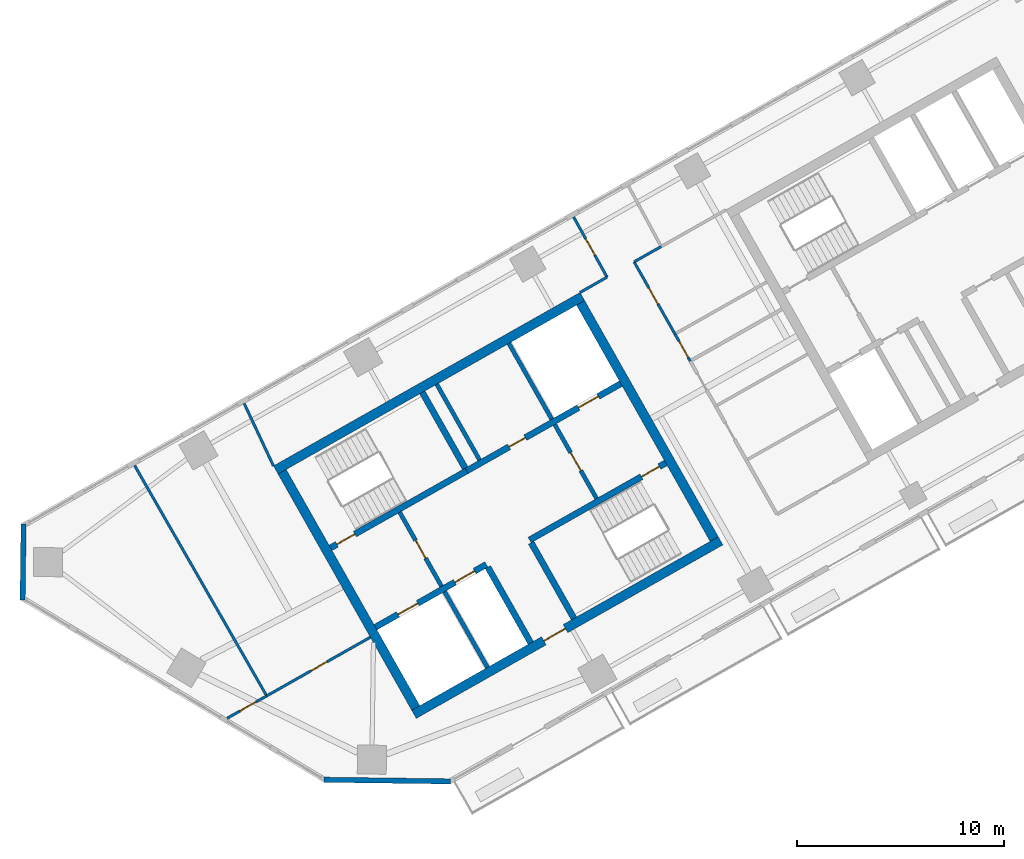
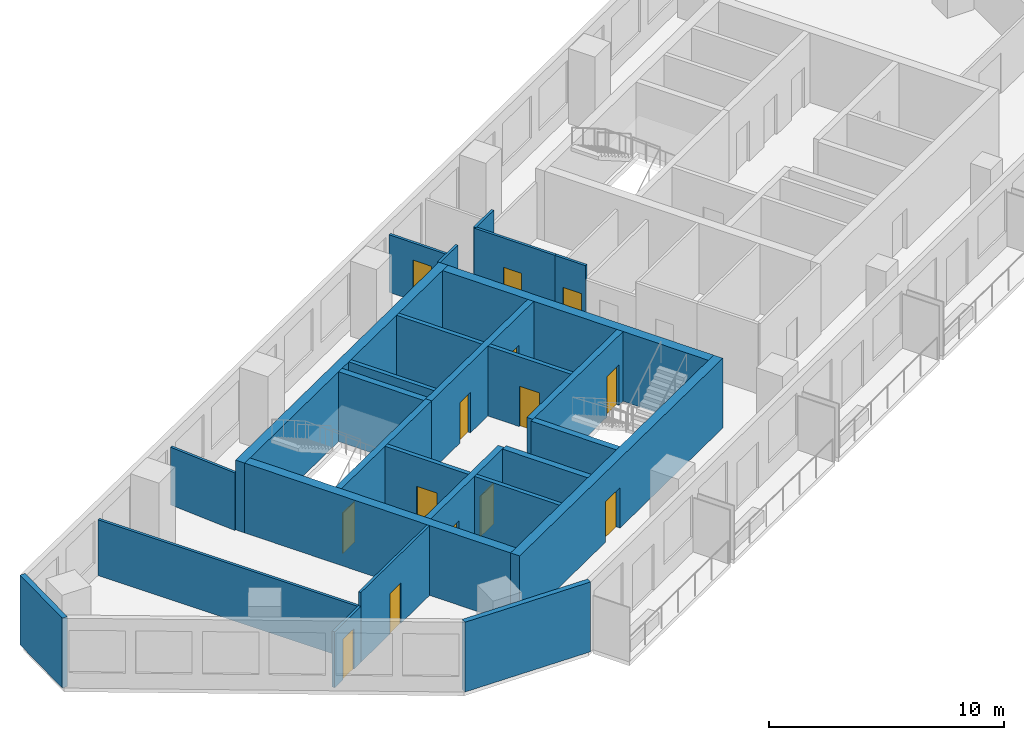
# One storey, part 3 of 11: 27 walls, 14 doors, 14 openings.
"""IFC4 building model written with IfcOpenShell, lengths in metres."""

from ifc_helpers import new_model, si_unit, direction, frame, frame_2d, origin, place, context, subcontext, project, spatial, rectangle, extrude, material, layer, layer_set, type_object, element, fill, save


model = new_model("IFC4")

# Units and contexts
model_context = context("Model", 3, precision=1e-05, world=origin(), true_north=direction((0.0, 1.0)))
body_context = subcontext(model_context, "Body", "Model", "MODEL_VIEW")
ifc_project = project(units=[si_unit("LENGTHUNIT", "METRE"), si_unit("AREAUNIT", "SQUARE_METRE"), si_unit("VOLUMEUNIT", "CUBIC_METRE"), si_unit("PLANEANGLEUNIT", "RADIAN"), si_unit("MASSUNIT", "GRAM", prefix="KILO")], contexts=[model_context])

# Site, building, storey
site_placement = place(None, origin())
site = spatial("IfcSite", under=ifc_project, at=site_placement, CompositionType="ELEMENT")
building_placement = place(site_placement, origin())
building = spatial("IfcBuilding", under=site, at=building_placement, Name="Binnacle Exchange Tower", CompositionType="ELEMENT")
storey_placement = place(building_placement, frame((0.0, 0.0, 219.199951171875)))
storey = spatial("IfcBuildingStorey", under=building, at=storey_placement, Name="L48", CompositionType="ELEMENT", Elevation=219.199951171875)

# Wall, openings, doors
ifc_material_1 = material(Name="Concrete C70/85", Category="concrete")
ifc_layer_1 = layer(ifc_material_1, 0.300048828125)
ifc_layer_set_1 = layer_set([ifc_layer_1], Name="Core wall - front 300")
wall_type_1 = type_object("IfcWallType", Name="Core wall - front 300", PredefinedType="SOLIDWALL", material=ifc_layer_set_1)
wall_1_placement = place(storey_placement, frame((-41.6865234375, 33.88720703125, 0.0), z_axis=(0.0, 0.0, 1.0), x_axis=(0.870355736587, 0.49242348826, 0.0)))
wall_1 = element("IfcWall", 1, at=wall_1_placement, inside=storey, type_object=wall_type_1, Name="Core wall CRWA2", PredefinedType="SOLIDWALL", context=body_context, shape_type="SweptSolid", body=[
    extrude(rectangle(XDim=6.14990234375, YDim=0.300048828125, at=frame_2d((3.074951171875, 0.0))), origin(), (0.0, 0.0, 1.0), 3.6201171875),
])
opening_1_placement = place(wall_1_placement, frame((1.25, 0.0, 0.0)))
opening_1 = element("IfcOpeningElement", 2, at=opening_1_placement, cuts=wall_1, Name="Opening LD12", PredefinedType="OPENING", context=body_context, shape_type="SweptSolid", body=[
    extrude(rectangle(XDim=1.10009765625, YDim=2.10009765625, at=frame_2d((0.550048828125, 1.050048828125))), frame((0.0, 0.159912109375, 0.0), z_axis=(0.0, -1.0, 0.0), x_axis=(1.0, 0.0, 0.0)), (0.0, 0.0, 1.0), 0.320068359375),
])
opening_2_placement = place(wall_1_placement, frame((4.39990234375, 0.0, 0.0)))
opening_2 = element("IfcOpeningElement", 3, at=opening_2_placement, cuts=wall_1, Name="Opening LD8", PredefinedType="OPENING", context=body_context, shape_type="SweptSolid", body=[
    extrude(rectangle(XDim=1.10009765625, YDim=2.10009765625, at=frame_2d((0.550048828125, 1.050048828125))), frame((0.0, 0.159912109375, 0.0), z_axis=(0.0, -1.0, 0.0), x_axis=(1.0, 0.0, 0.0)), (0.0, 0.0, 1.0), 0.320068359375),
])
ifc_material_2 = material(Name="Steel door leaf", Category="steel")
door_type_1 = type_object("IfcDoorType", Name="Fire door - lift landing 1100", OperationType="NOTDEFINED", PredefinedType="DOOR", material=ifc_material_2)
door_1_placement = place(opening_1_placement, origin())
door_1 = element("IfcDoor", 4, at=door_1_placement, inside=storey, type_object=door_type_1, Name="Landing door LD12 L48", OperationType="DOUBLE_DOOR_SLIDING", OverallHeight=2.10009765625, OverallWidth=1.10009765625, PredefinedType="DOOR", context=body_context, shape_type="SweptSolid", body=[
    extrude(rectangle(XDim=1.10009765625, YDim=2.10009765625, at=frame_2d((0.550048828125, 1.050048828125))), frame((0.0, 0.02490234375, 0.0), z_axis=(0.0, -1.0, 0.0), x_axis=(1.0, 0.0, 0.0)), (0.0, 0.0, 1.0), 0.050048828125),
])
fill(opening_1, door_1)
door_2_placement = place(opening_2_placement, origin())
door_2 = element("IfcDoor", 5, at=door_2_placement, inside=storey, type_object=door_type_1, Name="Landing door LD8 L48", OperationType="DOUBLE_DOOR_SLIDING", OverallHeight=2.10009765625, OverallWidth=1.10009765625, PredefinedType="DOOR", context=body_context, shape_type="SweptSolid", body=[
    extrude(rectangle(XDim=1.10009765625, YDim=2.10009765625, at=frame_2d((0.550048828125, 1.050048828125))), frame((0.0, 0.02490234375, 0.0), z_axis=(0.0, -1.0, 0.0), x_axis=(1.0, 0.0, 0.0)), (0.0, 0.0, 1.0), 0.050048828125),
])
fill(opening_2, door_2)

wall_2_placement = place(storey_placement, frame((-37.281982421875, 41.4345703125, 0.0), z_axis=(0.0, 0.0, 1.0), x_axis=(0.870352688754, 0.492428875248, 0.0)))
wall_2 = element("IfcWall", 6, at=wall_2_placement, inside=storey, type_object=wall_type_1, Name="Core wall CRWA5", PredefinedType="SOLIDWALL", context=body_context, shape_type="SweptSolid", body=[
    extrude(rectangle(XDim=8.5498046875, YDim=0.300048828125, at=frame_2d((4.27490234375, 0.0))), origin(), (0.0, 0.0, 1.0), 3.6201171875),
])
opening_3_placement = place(wall_2_placement, frame((6.199951171875, 0.0, 0.0)))
opening_3 = element("IfcOpeningElement", 7, at=opening_3_placement, cuts=wall_2, Name="Opening LD13", PredefinedType="OPENING", context=body_context, shape_type="SweptSolid", body=[
    extrude(rectangle(XDim=1.10009765625, YDim=2.10009765625, at=frame_2d((0.550048828125, 1.050048828125))), frame((0.0, 0.159912109375, 0.0), z_axis=(0.0, -1.0, 0.0), x_axis=(1.0, 0.0, 0.0)), (0.0, 0.0, 1.0), 0.320068359375),
])
opening_4_placement = place(wall_2_placement, frame((2.35009765625, 0.0, 0.0)))
opening_4 = element("IfcOpeningElement", 8, at=opening_4_placement, cuts=wall_2, Name="Opening DA10", PredefinedType="OPENING", context=body_context, shape_type="SweptSolid", body=[
    extrude(rectangle(XDim=0.89990234375, YDim=2.10009765625, at=frame_2d((0.449951171875, 1.050048828125))), frame((0.0, 0.159912109375, 0.0), z_axis=(0.0, -1.0, 0.0), x_axis=(1.0, 0.0, 0.0)), (0.0, 0.0, 1.0), 0.320068359375),
])
door_3_placement = place(opening_3_placement, origin())
door_3 = element("IfcDoor", 9, at=door_3_placement, inside=storey, type_object=door_type_1, Name="Landing door LD13 L48", OperationType="DOUBLE_DOOR_SLIDING", OverallHeight=2.10009765625, OverallWidth=1.10009765625, PredefinedType="DOOR", context=body_context, shape_type="SweptSolid", body=[
    extrude(rectangle(XDim=1.10009765625, YDim=2.10009765625, at=frame_2d((0.550048828125, 1.050048828125))), frame((0.0, 0.02490234375, 0.0), z_axis=(0.0, -1.0, 0.0), x_axis=(1.0, 0.0, 0.0)), (0.0, 0.0, 1.0), 0.050048828125),
])
fill(opening_3, door_3)
door_type_2 = type_object("IfcDoorType", Name="Fire door 900", OperationType="NOTDEFINED", PredefinedType="DOOR", material=ifc_material_2)
door_4_placement = place(opening_4_placement, origin())
door_4 = element("IfcDoor", 10, at=door_4_placement, inside=storey, type_object=door_type_2, Name="Core room door EQUIPMENT STORE", OperationType="SINGLE_SWING_LEFT", OverallHeight=2.10009765625, OverallWidth=0.89990234375, PredefinedType="DOOR", context=body_context, shape_type="SweptSolid", body=[
    extrude(rectangle(XDim=0.89990234375, YDim=2.10009765625, at=frame_2d((0.449951171875, 1.050048828125))), frame((0.0, 0.02490234375, 0.0), z_axis=(0.0, -1.0, 0.0), x_axis=(1.0, 0.0, 0.0)), (0.0, 0.0, 1.0), 0.050048828125),
])
fill(opening_4, door_4)

# Wall
wall_3_placement = place(storey_placement, frame((-36.260009765625, 36.784912109375, 0.0), z_axis=(0.0, 0.0, 1.0), x_axis=(0.492409653846, -0.870363563575, 0.0)))
element("IfcWall", 11, at=wall_3_placement, inside=storey, type_object=wall_type_1, Name="Core wall CRWA13", PredefinedType="SOLIDWALL", context=body_context, shape_type="SweptSolid", body=[
    extrude(rectangle(XDim=4.199951171875, YDim=0.300048828125, at=frame_2d((2.10009765625, 0.0))), origin(), (0.0, 0.0, 1.0), 3.6201171875),
])

# Wall, opening, door
ifc_layer_2 = layer(ifc_material_1, 0.449951171875)
ifc_layer_set_2 = layer_set([ifc_layer_2], Name="Core wall - outer 450")
wall_type_2 = type_object("IfcWallType", Name="Core wall - outer 450", PredefinedType="SOLIDWALL", material=ifc_layer_set_2)
wall_4_placement = place(storey_placement, frame((-39.825439453125, 29.68359375, 0.0), z_axis=(0.0, 0.0, 1.0), x_axis=(0.870353598469, 0.492427267353, 0.0)))
wall_4 = element("IfcWall", 12, at=wall_4_placement, inside=storey, type_object=wall_type_2, Name="Core wall CRWA1", PredefinedType="SOLIDWALL", context=body_context, shape_type="SweptSolid", body=[
    extrude(rectangle(XDim=17.000244140625, YDim=0.449951171875, at=frame_2d((8.5, 0.0))), origin(), (0.0, 0.0, 1.0), 3.6201171875),
])
opening_5_placement = place(wall_4_placement, frame((7.199951171875, 0.0, 0.0)))
opening_5 = element("IfcOpeningElement", 13, at=opening_5_placement, cuts=wall_4, Name="Opening DA7", PredefinedType="OPENING", context=body_context, shape_type="SweptSolid", body=[
    extrude(rectangle(XDim=1.199951171875, YDim=2.10009765625, at=frame_2d((0.60009765625, 1.050048828125))), frame((0.0, 0.23486328125, 0.0), z_axis=(0.0, -1.0, 0.0), x_axis=(1.0, 0.0, 0.0)), (0.0, 0.0, 1.0), 0.469970703125),
])
door_type_3 = type_object("IfcDoorType", Name="Fire door 1200", OperationType="NOTDEFINED", PredefinedType="DOOR", material=ifc_material_2)
door_5_placement = place(opening_5_placement, frame((1.199951171875, 0.0, 0.0), z_axis=(0.0, 0.0, 1.0), x_axis=(-1.0, 0.0, 0.0)))
door_5 = element("IfcDoor", 14, at=door_5_placement, inside=storey, type_object=door_type_3, Name="Lift lobby entrance door core A", OperationType="SINGLE_SWING_RIGHT", OverallHeight=2.10009765625, OverallWidth=1.199951171875, PredefinedType="DOOR", context=body_context, shape_type="SweptSolid", body=[
    extrude(rectangle(XDim=1.199951171875, YDim=2.10009765625, at=frame_2d((0.60009765625, 1.050048828125))), frame((0.0, 0.02490234375, 0.0), z_axis=(0.0, -1.0, 0.0), x_axis=(1.0, 0.0, 0.0)), (0.0, 0.0, 1.0), 0.050048828125),
])
fill(opening_5, door_5)

# Walls
wall_5_placement = place(storey_placement, frame((-46.497802734375, 41.47705078125, 0.0), z_axis=(0.0, 0.0, 1.0), x_axis=(0.870359753402, 0.492416388494, 0.0)))
element("IfcWall", 15, at=wall_5_placement, inside=storey, type_object=wall_type_2, Name="Core wall CRWA6", PredefinedType="SOLIDWALL", context=body_context, shape_type="SweptSolid", body=[
    extrude(rectangle(XDim=17.0, YDim=0.449951171875, at=frame_2d((8.5, 0.0))), origin(), (0.0, 0.0, 1.0), 3.6201171875),
])
for number, where, z_axis, x_axis, name in (
    (16, (-46.191162109375, 41.391845703125, 0.0), (0.0, 0.0, 1.0), (0.492421378713, -0.870356930107, 0.0), "Core wall CRWA7"),
    (17, (-31.78662109375, 49.54150390625, 0.0), (0.0, 0.0, 1.0), (0.492421378713, -0.870356930107, 0.0), "Core wall CRWA22"),
):
    element("IfcWall", number, at=place(storey_placement, frame(where, z_axis=z_axis, x_axis=x_axis)), inside=storey, type_object=wall_type_2, Name=name, PredefinedType="SOLIDWALL", context=body_context, shape_type="SweptSolid", body=[
        extrude(rectangle(XDim=13.099853515625, YDim=0.449951171875, at=frame_2d((6.5498046875, 0.0))), origin(), (0.0, 0.0, 1.0), 3.6201171875),
    ])

# Wall, opening, door
ifc_layer_3 = layer(ifc_material_1, 0.300048828125)
ifc_layer_set_3 = layer_set([ifc_layer_3], Name="Core wall - stair 300")
wall_type_3 = type_object("IfcWallType", Name="Core wall - stair 300", PredefinedType="SOLIDWALL", material=ifc_layer_set_3)
wall_6_placement = place(storey_placement, frame((-34.2451171875, 38.097412109375, 0.0), z_axis=(0.0, 0.0, 1.0), x_axis=(0.870360409231, 0.492415229297, 0.0)))
wall_6 = element("IfcWall", 18, at=wall_6_placement, inside=storey, type_object=wall_type_3, Name="Core wall CRWA3", PredefinedType="SOLIDWALL", context=body_context, shape_type="SweptSolid", body=[
    extrude(rectangle(XDim=7.550048828125, YDim=0.300048828125, at=frame_2d((3.77490234375, 0.0))), origin(), (0.0, 0.0, 1.0), 3.6201171875),
])
opening_6_placement = place(wall_6_placement, frame((6.199951171875, 0.0, 0.0)))
opening_6 = element("IfcOpeningElement", 19, at=opening_6_placement, cuts=wall_6, Name="Opening DA2", PredefinedType="OPENING", context=body_context, shape_type="SweptSolid", body=[
    extrude(rectangle(XDim=1.0, YDim=2.10009765625, at=frame_2d((0.5, 1.050048828125))), frame((0.0, 0.159912109375, 0.0), z_axis=(0.0, -1.0, 0.0), x_axis=(1.0, 0.0, 0.0)), (0.0, 0.0, 1.0), 0.320068359375),
])
door_type_4 = type_object("IfcDoorType", Name="Fire door 1000", OperationType="NOTDEFINED", PredefinedType="DOOR", material=ifc_material_2)
door_6_placement = place(opening_6_placement, frame((1.0, 0.0, 0.0), z_axis=(0.0, 0.0, 1.0), x_axis=(-1.0, 0.0, 0.0)))
door_6 = element("IfcDoor", 20, at=door_6_placement, inside=storey, type_object=door_type_4, Name="Stair door ST-A2", OperationType="SINGLE_SWING_LEFT", OverallHeight=2.10009765625, OverallWidth=1.0, PredefinedType="DOOR", context=body_context, shape_type="SweptSolid", body=[
    extrude(rectangle(XDim=1.0, YDim=2.10009765625, at=frame_2d((0.5, 1.050048828125))), frame((0.0, 0.02490234375, 0.0), z_axis=(0.0, -1.0, 0.0), x_axis=(1.0, 0.0, 0.0)), (0.0, 0.0, 1.0), 0.050048828125),
])
fill(opening_6, door_6)

wall_7_placement = place(storey_placement, frame((-43.853271484375, 37.716796875, 0.0), z_axis=(0.0, 0.0, 1.0), x_axis=(0.870360409231, 0.492415229297, 0.0)))
wall_7 = element("IfcWall", 21, at=wall_7_placement, inside=storey, type_object=wall_type_3, Name="Core wall CRWA4", PredefinedType="SOLIDWALL", context=body_context, shape_type="SweptSolid", body=[
    extrude(rectangle(XDim=7.550048828125, YDim=0.300048828125, at=frame_2d((3.77490234375, 0.0))), origin(), (0.0, 0.0, 1.0), 3.6201171875),
])
opening_7_placement = place(wall_7_placement, frame((0.35009765625, 0.0, 0.0)))
opening_7 = element("IfcOpeningElement", 22, at=opening_7_placement, cuts=wall_7, Name="Opening DA1", PredefinedType="OPENING", context=body_context, shape_type="SweptSolid", body=[
    extrude(rectangle(XDim=1.0, YDim=2.10009765625, at=frame_2d((0.5, 1.050048828125))), frame((0.0, 0.159912109375, 0.0), z_axis=(0.0, -1.0, 0.0), x_axis=(1.0, 0.0, 0.0)), (0.0, 0.0, 1.0), 0.320068359375),
])
door_7_placement = place(opening_7_placement, origin())
door_7 = element("IfcDoor", 23, at=door_7_placement, inside=storey, type_object=door_type_4, Name="Stair door ST-A1", OperationType="SINGLE_SWING_LEFT", OverallHeight=2.10009765625, OverallWidth=1.0, PredefinedType="DOOR", context=body_context, shape_type="SweptSolid", body=[
    extrude(rectangle(XDim=1.0, YDim=2.10009765625, at=frame_2d((0.5, 1.050048828125))), frame((0.0, 0.02490234375, 0.0), z_axis=(0.0, -1.0, 0.0), x_axis=(1.0, 0.0, 0.0)), (0.0, 0.0, 1.0), 0.050048828125),
])
fill(opening_7, door_7)

# Walls
for number, where, z_axis, x_axis, name in (
    (24, (-39.424072265625, 45.220458984375, 0.0), (0.0, 0.0, 1.0), (0.492409653846, -0.870363563575, 0.0), "Core wall CRWA14"),
    (25, (-34.171142578125, 37.966796875, 0.0), (0.0, 0.0, 1.0), (0.492409653846, -0.870363563575, 0.0), "Core wall CRWA16"),
):
    element("IfcWall", number, at=place(storey_placement, frame(where, z_axis=z_axis, x_axis=x_axis)), inside=storey, type_object=wall_type_3, Name=name, PredefinedType="SOLIDWALL", context=body_context, shape_type="SweptSolid", body=[
        extrude(rectangle(XDim=4.199951171875, YDim=0.300048828125, at=frame_2d((2.10009765625, 0.0))), origin(), (0.0, 0.0, 1.0), 3.6201171875),
    ])
ifc_material_3 = material(Name="Bronze aluminium cladding", Category="aluminium")
ifc_layer_4 = layer(ifc_material_3, 0.25)
ifc_layer_set_4 = layer_set([ifc_layer_4], Name="External wall - window wall 250")
wall_type_4 = type_object("IfcWallType", Name="External wall - window wall 250", PredefinedType="STANDARD", material=ifc_layer_set_4)
wall_8_placement = place(storey_placement, frame((-38.06396484375, 26.44482421875, 0.0), z_axis=(0.0, 0.0, 1.0), x_axis=(-0.999914239143, 0.013096349097, 0.0)))
element("IfcWall", 26, at=wall_8_placement, inside=storey, type_object=wall_type_4, Name="External wall EW-G00 L48", PredefinedType="STANDARD", context=body_context, shape_type="SweptSolid", body=[
    extrude(rectangle(XDim=6.114501953125, YDim=0.25, at=frame_2d((3.05712890625, 0.0))), origin(), (0.0, 0.0, 1.0), 3.6201171875),
])
wall_9_placement = place(storey_placement, frame((-58.717041015625, 35.208251953125, 0.0), z_axis=(0.0, 0.0, 1.0), x_axis=(0.01310512158, 0.999914124207, 0.0)))
element("IfcWall", 27, at=wall_9_placement, inside=storey, type_object=wall_type_4, Name="External wall EW-G09 L48", PredefinedType="STANDARD", context=body_context, shape_type="SweptSolid", body=[
    extrude(rectangle(XDim=3.669921875, YDim=0.25, at=frame_2d((1.8349609375, 0.0))), origin(), (0.0, 0.0, 1.0), 3.6201171875),
])

# Wall, opening, door
ifc_material_4 = material(Name="Masonry block wall", Category="masonry")
ifc_layer_5 = layer(ifc_material_4, 0.199951171875)
ifc_layer_set_5 = layer_set([ifc_layer_5], Name="Fire wall - vestibule 200")
wall_type_5 = type_object("IfcWallType", Name="Fire wall - vestibule 200", PredefinedType="PARTITIONING", material=ifc_layer_set_5)
wall_10_placement = place(storey_placement, frame((-40.515625, 39.4326171875, 0.0), z_axis=(0.0, 0.0, 1.0), x_axis=(0.492453559952, -0.87033872216, 0.0)))
wall_10 = element("IfcWall", 28, at=wall_10_placement, inside=storey, type_object=wall_type_5, Name="Core wall CRWA10", PredefinedType="PARTITIONING", context=body_context, shape_type="SweptSolid", body=[
    extrude(rectangle(XDim=4.099853515625, YDim=0.199951171875, at=frame_2d((2.0498046875, 0.0))), origin(), (0.0, 0.0, 1.0), 3.6201171875),
])
opening_8_placement = place(wall_10_placement, frame((1.550048828125, 0.0, 0.0)))
opening_8 = element("IfcOpeningElement", 29, at=opening_8_placement, cuts=wall_10, Name="Opening DA3", PredefinedType="OPENING", context=body_context, shape_type="SweptSolid", body=[
    extrude(rectangle(XDim=1.0, YDim=2.10009765625, at=frame_2d((0.5, 1.050048828125))), frame((0.0, 0.10986328125, 0.0), z_axis=(0.0, -1.0, 0.0), x_axis=(1.0, 0.0, 0.0)), (0.0, 0.0, 1.0), 0.219970703125),
])
door_8_placement = place(opening_8_placement, frame((1.0, 0.0, 0.0), z_axis=(0.0, 0.0, 1.0), x_axis=(-1.0, 0.0, 0.0)))
door_8 = element("IfcDoor", 30, at=door_8_placement, inside=storey, type_object=door_type_4, Name="Vestibule door VEST-W", OperationType="SINGLE_SWING_LEFT", OverallHeight=2.10009765625, OverallWidth=1.0, PredefinedType="DOOR", context=body_context, shape_type="SweptSolid", body=[
    extrude(rectangle(XDim=1.0, YDim=2.10009765625, at=frame_2d((0.5, 1.050048828125))), frame((0.0, 0.02490234375, 0.0), z_axis=(0.0, -1.0, 0.0), x_axis=(1.0, 0.0, 0.0)), (0.0, 0.0, 1.0), 0.050048828125),
])
fill(opening_8, door_8)

wall_11_placement = place(storey_placement, frame((-33.030517578125, 43.66748046875, 0.0), z_axis=(0.0, 0.0, 1.0), x_axis=(0.492408451753, -0.87036424366, 0.0)))
wall_11 = element("IfcWall", 31, at=wall_11_placement, inside=storey, type_object=wall_type_5, Name="Core wall CRWA19", PredefinedType="PARTITIONING", context=body_context, shape_type="SweptSolid", body=[
    extrude(rectangle(XDim=4.099853515625, YDim=0.199951171875, at=frame_2d((2.0498046875, 0.0))), origin(), (0.0, 0.0, 1.0), 3.6201171875),
])
opening_9_placement = place(wall_11_placement, frame((1.550048828125, 0.0, 0.0)))
opening_9 = element("IfcOpeningElement", 32, at=opening_9_placement, cuts=wall_11, Name="Opening DA4", PredefinedType="OPENING", context=body_context, shape_type="SweptSolid", body=[
    extrude(rectangle(XDim=1.0, YDim=2.10009765625, at=frame_2d((0.5, 1.050048828125))), frame((0.0, 0.10986328125, 0.0), z_axis=(0.0, -1.0, 0.0), x_axis=(1.0, 0.0, 0.0)), (0.0, 0.0, 1.0), 0.219970703125),
])
door_9_placement = place(opening_9_placement, origin())
door_9 = element("IfcDoor", 33, at=door_9_placement, inside=storey, type_object=door_type_4, Name="Vestibule door VEST-E", OperationType="SINGLE_SWING_RIGHT", OverallHeight=2.10009765625, OverallWidth=1.0, PredefinedType="DOOR", context=body_context, shape_type="SweptSolid", body=[
    extrude(rectangle(XDim=1.0, YDim=2.10009765625, at=frame_2d((0.5, 1.050048828125))), frame((0.0, 0.02490234375, 0.0), z_axis=(0.0, -1.0, 0.0), x_axis=(1.0, 0.0, 0.0)), (0.0, 0.0, 1.0), 0.050048828125),
])
fill(opening_9, door_9)

# Wall
ifc_material_5 = material(Name="Gypsum partition")
ifc_layer_6 = layer(ifc_material_5, 0.125)
ifc_layer_set_6 = layer_set([ifc_layer_6], Name="Partition 125")
wall_type_6 = type_object("IfcWallType", Name="Partition 125", PredefinedType="PARTITIONING", material=ifc_layer_set_6)
wall_12_placement = place(storey_placement, frame((-53.31103515625, 41.695068359375, 0.0), z_axis=(0.0, 0.0, 1.0), x_axis=(0.497344363303, -0.867553216979, 0.0)))
element("IfcWall", 34, at=wall_12_placement, inside=storey, type_object=wall_type_6, Name="Partition W01", PredefinedType="PARTITIONING", context=body_context, shape_type="SweptSolid", body=[
    extrude(rectangle(XDim=12.820068359375, YDim=0.125, at=frame_2d((6.41015625, 0.0))), origin(), (0.0, 0.0, 1.0), 2.900146484375),
])

# Wall, opening, door
wall_13_placement = place(storey_placement, frame((-48.843017578125, 29.493896484375, 0.0), z_axis=(0.0, 0.0, 1.0), x_axis=(0.870427970258, 0.492295793799, 0.0)))
wall_13 = element("IfcWall", 35, at=wall_13_placement, inside=storey, type_object=wall_type_6, Name="Partition W02", PredefinedType="PARTITIONING", context=body_context, shape_type="SweptSolid", body=[
    extrude(rectangle(XDim=2.19189453125, YDim=0.125, at=frame_2d((1.095947265625, 0.0))), origin(), (0.0, 0.0, 1.0), 2.900146484375),
])
opening_10_placement = place(wall_13_placement, frame((0.699951171875, 0.0, 0.0)))
opening_10 = element("IfcOpeningElement", 36, at=opening_10_placement, cuts=wall_13, Name="Opening DL48-01", PredefinedType="OPENING", context=body_context, shape_type="SweptSolid", body=[
    extrude(rectangle(XDim=0.89990234375, YDim=2.10009765625, at=frame_2d((0.449951171875, 1.050048828125))), frame((0.0, 0.072509765625, 0.0), z_axis=(0.0, -1.0, 0.0), x_axis=(1.0, 0.0, 0.0)), (0.0, 0.0, 1.0), 0.14501953125),
])
ifc_material_6 = material(Name="Timber door leaf", Category="wood")
door_type_5 = type_object("IfcDoorType", Name="Door 900", OperationType="NOTDEFINED", PredefinedType="DOOR", material=ifc_material_6)
door_10_placement = place(opening_10_placement, origin())
door_10 = element("IfcDoor", 37, at=door_10_placement, inside=storey, type_object=door_type_5, Name="Door DL48-01", OperationType="SINGLE_SWING_RIGHT", OverallHeight=2.10009765625, OverallWidth=0.89990234375, PredefinedType="DOOR", context=body_context, shape_type="SweptSolid", body=[
    extrude(rectangle(XDim=0.89990234375, YDim=2.10009765625, at=frame_2d((0.449951171875, 1.050048828125))), frame((0.0, 0.02490234375, 0.0), z_axis=(0.0, -1.0, 0.0), x_axis=(1.0, 0.0, 0.0)), (0.0, 0.0, 1.0), 0.050048828125),
])
fill(opening_10, door_10)

# Wall
wall_14_placement = place(storey_placement, frame((-48.02197265625, 44.68701171875, 0.0), z_axis=(0.0, 0.0, 1.0), x_axis=(0.424510917438, -0.905422818895, 0.0)))
element("IfcWall", 38, at=wall_14_placement, inside=storey, type_object=wall_type_6, Name="Partition W03", PredefinedType="PARTITIONING", context=body_context, shape_type="SweptSolid", body=[
    extrude(rectangle(XDim=3.328857421875, YDim=0.125, at=frame_2d((1.66455078125, 0.0))), origin(), (0.0, 0.0, 1.0), 2.988037109375),
])

# Wall, opening, door
wall_15_placement = place(storey_placement, frame((-46.93505859375, 30.572998046875, 0.0), z_axis=(0.0, 0.0, 1.0), x_axis=(0.870367427407, 0.492402824229, 0.0)))
wall_15 = element("IfcWall", 39, at=wall_15_placement, inside=storey, type_object=wall_type_6, Name="Partition W04", PredefinedType="PARTITIONING", context=body_context, shape_type="SweptSolid", body=[
    extrude(rectangle(XDim=5.74951171875, YDim=0.125, at=frame_2d((2.874755859375, 0.0))), origin(), (0.0, 0.0, 1.0), 3.6201171875),
])
opening_11_placement = place(wall_15_placement, frame((2.449951171875, 0.0, 0.0)))
opening_11 = element("IfcOpeningElement", 40, at=opening_11_placement, cuts=wall_15, Name="Opening DL48-02", PredefinedType="OPENING", context=body_context, shape_type="SweptSolid", body=[
    extrude(rectangle(XDim=0.89990234375, YDim=2.10009765625, at=frame_2d((0.449951171875, 1.050048828125))), frame((0.0, 0.072509765625, 0.0), z_axis=(0.0, -1.0, 0.0), x_axis=(1.0, 0.0, 0.0)), (0.0, 0.0, 1.0), 0.14501953125),
])
door_11_placement = place(opening_11_placement, origin())
door_11 = element("IfcDoor", 41, at=door_11_placement, inside=storey, type_object=door_type_5, Name="Door DL48-02", OperationType="SINGLE_SWING_RIGHT", OverallHeight=2.10009765625, OverallWidth=0.89990234375, PredefinedType="DOOR", context=body_context, shape_type="SweptSolid", body=[
    extrude(rectangle(XDim=0.89990234375, YDim=2.10009765625, at=frame_2d((0.449951171875, 1.050048828125))), frame((0.0, 0.02490234375, 0.0), z_axis=(0.0, -1.0, 0.0), x_axis=(1.0, 0.0, 0.0)), (0.0, 0.0, 1.0), 0.050048828125),
])
fill(opening_11, door_11)

wall_16_placement = place(storey_placement, frame((-32.12109375, 53.68310546875, 0.0), z_axis=(0.0, 0.0, 1.0), x_axis=(0.486292328656, -0.873796183952, 0.0)))
wall_16 = element("IfcWall", 42, at=wall_16_placement, inside=storey, type_object=wall_type_6, Name="Partition W05", PredefinedType="PARTITIONING", context=body_context, shape_type="SweptSolid", body=[
    extrude(rectangle(XDim=3.319091796875, YDim=0.125, at=frame_2d((1.65966796875, 0.0))), origin(), (0.0, 0.0, 1.0), 2.988037109375),
])
opening_12_placement = place(wall_16_placement, frame((1.199951171875, 0.0, 0.0)))
opening_12 = element("IfcOpeningElement", 43, at=opening_12_placement, cuts=wall_16, Name="Opening DL48-03", PredefinedType="OPENING", context=body_context, shape_type="SweptSolid", body=[
    extrude(rectangle(XDim=0.89990234375, YDim=2.10009765625, at=frame_2d((0.449951171875, 1.050048828125))), frame((0.0, 0.072509765625, 0.0), z_axis=(0.0, -1.0, 0.0), x_axis=(1.0, 0.0, 0.0)), (0.0, 0.0, 1.0), 0.14501953125),
])
door_12_placement = place(opening_12_placement, frame((0.89990234375, 0.0, 0.0), z_axis=(0.0, 0.0, 1.0), x_axis=(-1.0, 0.0, 0.0)))
door_12 = element("IfcDoor", 44, at=door_12_placement, inside=storey, type_object=door_type_5, Name="Door DL48-03", OperationType="SINGLE_SWING_RIGHT", OverallHeight=2.10009765625, OverallWidth=0.89990234375, PredefinedType="DOOR", context=body_context, shape_type="SweptSolid", body=[
    extrude(rectangle(XDim=0.89990234375, YDim=2.10009765625, at=frame_2d((0.449951171875, 1.050048828125))), frame((0.0, 0.02490234375, 0.0), z_axis=(0.0, -1.0, 0.0), x_axis=(1.0, 0.0, 0.0)), (0.0, 0.0, 1.0), 0.050048828125),
])
fill(opening_12, door_12)

# Walls
for number, where, z_axis, x_axis, name in (
    (45, (-31.81201171875, 50.0439453125, 0.0), (0.0, 0.0, 1.0), (0.870150176056, 0.492786638526, 0.0), "Partition W06"),
    (46, (-29.200927734375, 51.52099609375, 0.0), (0.0, 0.0, 1.0), (0.870150176056, 0.492786638526, 0.0), "Partition W08"),
):
    element("IfcWall", number, at=place(storey_placement, frame(where, z_axis=z_axis, x_axis=x_axis)), inside=storey, type_object=wall_type_6, Name=name, PredefinedType="PARTITIONING", context=body_context, shape_type="SweptSolid", body=[
        extrude(rectangle(XDim=1.499755859375, YDim=0.125, at=frame_2d((0.75, 0.0))), origin(), (0.0, 0.0, 1.0), 3.6201171875),
    ])

# Wall, opening, door
wall_17_placement = place(storey_placement, frame((-29.200927734375, 51.52099609375, 0.0), z_axis=(0.0, 0.0, 1.0), x_axis=(0.492340861121, -0.870402479587, 0.0)))
wall_17 = element("IfcWall", 47, at=wall_17_placement, inside=storey, type_object=wall_type_6, Name="Partition W09", PredefinedType="PARTITIONING", context=body_context, shape_type="SweptSolid", body=[
    extrude(rectangle(XDim=3.999267578125, YDim=0.125, at=frame_2d((1.99951171875, 0.0))), origin(), (0.0, 0.0, 1.0), 3.6201171875),
])
opening_13_placement = place(wall_17_placement, frame((1.449951171875, 0.0, 0.0)))
opening_13 = element("IfcOpeningElement", 48, at=opening_13_placement, cuts=wall_17, Name="Opening DL48-04", PredefinedType="OPENING", context=body_context, shape_type="SweptSolid", body=[
    extrude(rectangle(XDim=0.89990234375, YDim=2.10009765625, at=frame_2d((0.449951171875, 1.050048828125))), frame((0.0, 0.072509765625, 0.0), z_axis=(0.0, -1.0, 0.0), x_axis=(1.0, 0.0, 0.0)), (0.0, 0.0, 1.0), 0.14501953125),
])
door_13_placement = place(opening_13_placement, origin())
door_13 = element("IfcDoor", 49, at=door_13_placement, inside=storey, type_object=door_type_5, Name="Door DL48-04", OperationType="SINGLE_SWING_LEFT", OverallHeight=2.10009765625, OverallWidth=0.89990234375, PredefinedType="DOOR", context=body_context, shape_type="SweptSolid", body=[
    extrude(rectangle(XDim=0.89990234375, YDim=2.10009765625, at=frame_2d((0.449951171875, 1.050048828125))), frame((0.0, 0.02490234375, 0.0), z_axis=(0.0, -1.0, 0.0), x_axis=(1.0, 0.0, 0.0)), (0.0, 0.0, 1.0), 0.050048828125),
])
fill(opening_13, door_13)

wall_18_placement = place(storey_placement, frame((-27.23193359375, 48.0400390625, 0.0), z_axis=(0.0, 0.0, 1.0), x_axis=(0.492437810475, -0.870347633314, 0.0)))
wall_18 = element("IfcWall", 50, at=wall_18_placement, inside=storey, type_object=wall_type_6, Name="Partition W11", PredefinedType="PARTITIONING", context=body_context, shape_type="SweptSolid", body=[
    extrude(rectangle(XDim=1.500732421875, YDim=0.125, at=frame_2d((0.75048828125, 0.0))), origin(), (0.0, 0.0, 1.0), 3.6201171875),
])
opening_14_placement = place(wall_18_placement, frame((0.39990234375, 0.0, 0.0)))
opening_14 = element("IfcOpeningElement", 51, at=opening_14_placement, cuts=wall_18, Name="Opening DL48-08", PredefinedType="OPENING", context=body_context, shape_type="SweptSolid", body=[
    extrude(rectangle(XDim=0.89990234375, YDim=2.10009765625, at=frame_2d((0.449951171875, 1.050048828125))), frame((0.0, 0.072509765625, 0.0), z_axis=(0.0, -1.0, 0.0), x_axis=(1.0, 0.0, 0.0)), (0.0, 0.0, 1.0), 0.14501953125),
])
door_14_placement = place(opening_14_placement, origin())
door_14 = element("IfcDoor", 52, at=door_14_placement, inside=storey, type_object=door_type_5, Name="Door DL48-08", OperationType="SINGLE_SWING_RIGHT", OverallHeight=2.10009765625, OverallWidth=0.89990234375, PredefinedType="DOOR", context=body_context, shape_type="SweptSolid", body=[
    extrude(rectangle(XDim=0.89990234375, YDim=2.10009765625, at=frame_2d((0.449951171875, 1.050048828125))), frame((0.0, 0.02490234375, 0.0), z_axis=(0.0, -1.0, 0.0), x_axis=(1.0, 0.0, 0.0)), (0.0, 0.0, 1.0), 0.050048828125),
])
fill(opening_14, door_14)

# Walls
ifc_layer_7 = layer(ifc_material_4, 0.199951171875)
ifc_layer_set_7 = layer_set([ifc_layer_7], Name="Riser wall 200")
wall_type_7 = type_object("IfcWallType", Name="Riser wall 200", PredefinedType="SOLIDWALL", material=ifc_layer_set_7)
wall_19_placement = place(storey_placement, frame((-38.727783203125, 45.614501953125, 0.0), z_axis=(0.0, 0.0, 1.0), x_axis=(0.492409653846, -0.870363563575, 0.0)))
element("IfcWall", 53, at=wall_19_placement, inside=storey, type_object=wall_type_7, Name="Core wall CRWA15", PredefinedType="SOLIDWALL", context=body_context, shape_type="SweptSolid", body=[
    extrude(rectangle(XDim=4.199951171875, YDim=0.199951171875, at=frame_2d((2.10009765625, 0.0))), origin(), (0.0, 0.0, 1.0), 3.6201171875),
])
ifc_layer_8 = layer(ifc_material_4, 0.199951171875)
ifc_layer_set_8 = layer_set([ifc_layer_8], Name="Shaft wall 200")
wall_type_8 = type_object("IfcWallType", Name="Shaft wall 200", PredefinedType="SOLIDWALL", material=ifc_layer_set_8)
for number, where, z_axis, x_axis, name in (
    (54, (-38.348876953125, 35.603271484375, 0.0), (0.0, 0.0, 1.0), (0.492409653846, -0.870363563575, 0.0), "Core wall CRWA9"),
    (55, (-35.246337890625, 47.584228515625, 0.0), (0.0, 0.0, 1.0), (0.492409653846, -0.870363563575, 0.0), "Core wall CRWA21"),
):
    element("IfcWall", number, at=place(storey_placement, frame(where, z_axis=z_axis, x_axis=x_axis)), inside=storey, type_object=wall_type_8, Name=name, PredefinedType="SOLIDWALL", context=body_context, shape_type="SweptSolid", body=[
        extrude(rectangle(XDim=4.199951171875, YDim=0.199951171875, at=frame_2d((2.10009765625, 0.0))), origin(), (0.0, 0.0, 1.0), 3.6201171875),
    ])

save(model, "model.ifc")
